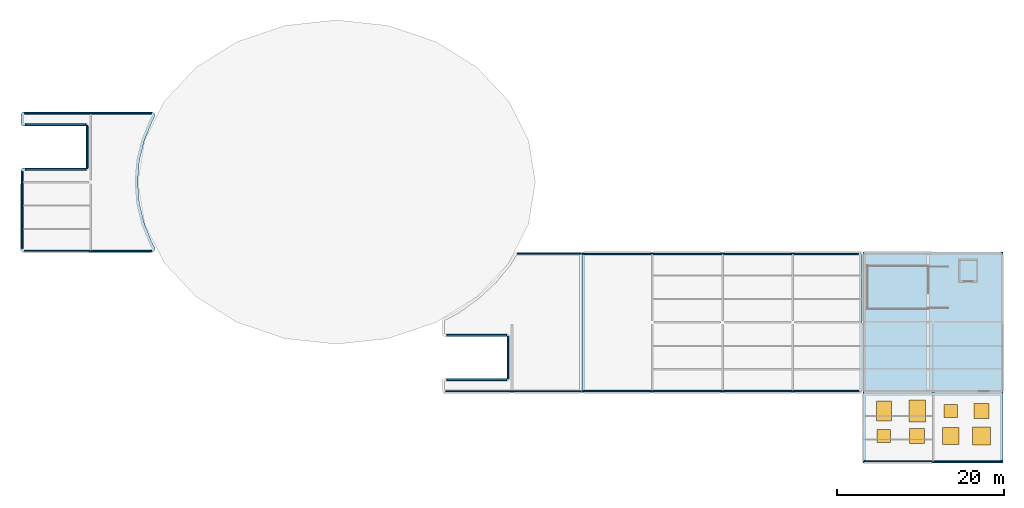
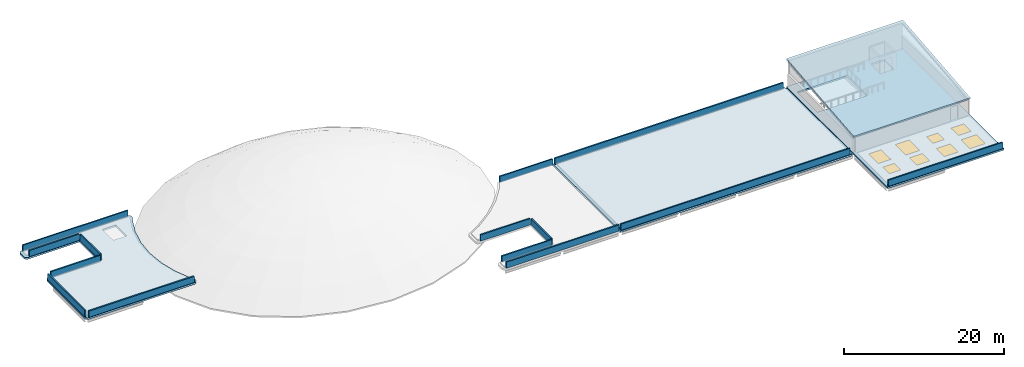
"""IFC4 building model written with IfcOpenShell, lengths in metres."""

from ifc_helpers import new_model, si_unit, derived_unit, direction, frame, frame_2d, origin, origin_2d, place, context, subcontext, project, spatial, polyline, rectangle, outline, extrude, material, layer, layer_set, type_object, element, fill, save


model = new_model("IFC4")

# Units and contexts
model_context = context("Model", 3, precision=1e-05, world=origin(), true_north=direction((0.0, 1.0)))
body_context = subcontext(model_context, "Body", "Model", "MODEL_VIEW")
ifc_project = project(units=[si_unit("LENGTHUNIT", "METRE"), si_unit("AREAUNIT", "SQUARE_METRE"), si_unit("VOLUMEUNIT", "CUBIC_METRE"), si_unit("PLANEANGLEUNIT", "RADIAN"), si_unit("MASSUNIT", "GRAM", prefix="KILO"), derived_unit("THERMALTRANSMITTANCEUNIT", [(si_unit("POWERUNIT", "WATT"), 1), (si_unit("LENGTHUNIT", "METRE"), -2), (si_unit("THERMODYNAMICTEMPERATUREUNIT", "KELVIN"), -1)])], contexts=[model_context])

# Site, building, storey
site_placement = place(None, origin())
site = spatial("IfcSite", under=ifc_project, at=site_placement, CompositionType="ELEMENT")
building_placement = place(site_placement, origin())
building = spatial("IfcBuilding", under=site, at=building_placement, Name="Elbkamm Science Centre", CompositionType="ELEMENT")
storey_1_placement = place(building_placement, frame((0.0, 0.0, 25.5)))
storey_1 = spatial("IfcBuildingStorey", under=building, at=storey_1_placement, Name="RF", CompositionType="ELEMENT", Elevation=25.5)

# Slabs
ifc_material_1 = material(Name="Reinforced concrete C40/50", Category="concrete")
ifc_layer_1 = layer(ifc_material_1, 0.239990234375)
ifc_layer_set_1 = layer_set([ifc_layer_1], Name="Reinforced concrete C40/50")
slab_type_1 = type_object("IfcSlabType", Name="SLAB-ROOF-240", PredefinedType="ROOF", material=ifc_layer_set_1)
slab_1_placement = place(storey_1_placement, frame((126.02490234375, 42.0, 2.6201171875), z_axis=(0.0, -0.097737984439, 0.995212181596), x_axis=(1.0, 0.0, 0.0)))
element("IfcSlab", 1, at=slab_1_placement, inside=storey_1, type_object=slab_type_1, Name="RF Core C3 Stair Headhouse Roof Slab", PredefinedType="ROOF", context=body_context, shape_type="SweptSolid", body=[
    extrude(outline(polyline([(0.0, 0.0), (16.775146484375, 0.0), (16.775146484375, 16.880871374763093), (0.0, 16.880871374763093), (0.0, 0.0)])), origin(), (0.0, 0.0, -1.0), 0.239990234375),
])
ifc_layer_2 = layer(ifc_material_1, 0.260009765625)
ifc_layer_set_2 = layer_set([ifc_layer_2], Name="Reinforced concrete C40/50")
slab_type_2 = type_object("IfcSlabType", Name="SLAB-ROOF-260", PredefinedType="ROOF", material=ifc_layer_set_2)
slab_2_placement = place(storey_1_placement, frame((0.0, 0.0, -0.260009765625)))
element("IfcSlab", 2, at=slab_2_placement, inside=storey_1, type_object=slab_type_2, Name="RF Step-Back Roof Slab 01", PredefinedType="ROOF", context=body_context, shape_type="SweptSolid", body=[
    extrude(outline(polyline([(25.208251953125, 68.5419921875), (25.218505859375, 68.583740234375), (25.232666015625, 68.62451171875), (25.25048828125, 68.66357421875), (25.272216796875, 68.70068359375), (25.29736328125, 68.73583984375), (25.32568359375, 68.768310546875), (25.35693359375, 68.7978515625), (25.390869140625, 68.82421875), (25.42724609375, 68.847412109375), (25.465576171875, 68.86669921875), (25.505615234375, 68.882568359375), (25.547119140625, 68.894287109375), (25.58935546875, 68.902099609375), (25.63232421875, 68.906005859375), (25.67529296875, 68.905517578125), (25.71826171875, 68.901123046875), (25.760498046875, 68.892578125), (25.798583984375, 68.880859375), (25.800048828125, 68.880615234375), (25.800048828125, 68.8798828125), (25.81103515625, 68.8798828125), (32.968994140625, 68.8798828125), (32.97998046875, 68.8798828125), (32.97998046875, 68.89111328125), (32.97998046875, 73.908935546875), (32.97998046875, 73.919921875), (32.968994140625, 73.919921875), (25.81103515625, 73.919921875), (25.800048828125, 73.919921875), (25.800048828125, 73.91943359375), (25.798583984375, 73.919189453125), (25.760498046875, 73.907470703125), (25.71826171875, 73.89892578125), (25.67529296875, 73.894287109375), (25.63232421875, 73.89404296875), (25.58935546875, 73.897705078125), (25.547119140625, 73.905517578125), (25.505615234375, 73.91748046875), (25.465576171875, 73.93310546875), (25.42724609375, 73.95263671875), (25.390869140625, 73.975830078125), (25.35693359375, 74.002197265625), (25.32568359375, 74.03173828125), (25.29736328125, 74.064208984375), (25.272216796875, 74.09912109375), (25.25048828125, 74.136474609375), (25.232666015625, 74.175537109375), (25.218505859375, 74.21630859375), (25.208251953125, 74.258056640625), (25.2021484375, 74.30078125), (25.199951171875, 74.34375), (25.199951171875, 75.14990234375), (25.2021484375, 75.194091796875), (25.20849609375, 75.23779296875), (25.219482421875, 75.280517578125), (25.234375, 75.322265625), (25.253173828125, 75.362060546875), (25.27587890625, 75.39990234375), (25.302001953125, 75.435546875), (25.331787109375, 75.46826171875), (25.364501953125, 75.497802734375), (25.39990234375, 75.524169921875), (25.43798828125, 75.546875), (25.477783203125, 75.565673828125), (25.519287109375, 75.58056640625), (25.562255859375, 75.59130859375), (25.60595703125, 75.597900390625), (25.64990234375, 75.60009765625), (40.803466796875, 75.60009765625), (40.8466796875, 75.597900390625), (40.889404296875, 75.591796875), (40.931396484375, 75.581298828125), (40.97216796875, 75.567138671875), (41.011474609375, 75.549072265625), (41.048828125, 75.527099609375), (41.083984375, 75.501953125), (41.116455078125, 75.473388671875), (41.14599609375, 75.44189453125), (41.17236328125, 75.40771484375), (41.1953125, 75.37109375), (41.21484375, 75.332275390625), (41.23046875, 75.2919921875), (41.2421875, 75.250244140625), (41.249755859375, 75.207763671875), (41.253173828125, 75.164794921875), (41.25244140625, 75.121337890625), (41.247802734375, 75.078369140625), (41.23876953125, 75.0361328125), (41.225830078125, 74.994873046875), (41.208984375, 74.955078125), (41.1884765625, 74.9169921875), (41.15625, 74.86376953125), (41.0166015625, 74.633056640625), (41.014404296875, 74.62939453125), (41.012939453125, 74.626953125), (41.01171875, 74.624267578125), (41.009765625, 74.61962890625), (40.53173828125, 73.471923828125), (40.014404296875, 72.22998046875), (40.0126953125, 72.22607421875), (40.01171875, 72.22314453125), (40.0107421875, 72.22021484375), (40.009521484375, 72.21533203125), (39.405517578125, 69.74072265625), (39.404296875, 69.736572265625), (39.40380859375, 69.7333984375), (39.4033203125, 69.730224609375), (39.403076171875, 69.72509765625), (39.200439453125, 67.207763671875), (39.2001953125, 67.203125), (39.199951171875, 67.199951171875), (39.2001953125, 67.19677734375), (39.200439453125, 67.191650390625), (39.37353515625, 65.041259765625), (39.403076171875, 64.67431640625), (39.4033203125, 64.669921875), (39.40380859375, 64.66650390625), (39.404296875, 64.66357421875), (39.40576171875, 64.658447265625), (40.009765625, 62.18408203125), (40.0107421875, 62.1796875), (40.01171875, 62.1767578125), (40.0126953125, 62.173828125), (40.0146484375, 62.169189453125), (40.209716796875, 61.70068359375), (41.010009765625, 59.77978515625), (41.01171875, 59.77587890625), (41.012939453125, 59.773193359375), (41.014404296875, 59.7705078125), (41.016845703125, 59.766357421875), (41.1884765625, 59.48291015625), (41.208984375, 59.445068359375), (41.225830078125, 59.405029296875), (41.23876953125, 59.364013671875), (41.247802734375, 59.321533203125), (41.25244140625, 59.278564453125), (41.253173828125, 59.2353515625), (41.249755859375, 59.192138671875), (41.2421875, 59.149658203125), (41.23046875, 59.10791015625), (41.21484375, 59.067626953125), (41.1953125, 59.029052734375), (41.17236328125, 58.992431640625), (41.14599609375, 58.958251953125), (41.116455078125, 58.9267578125), (41.083984375, 58.898193359375), (41.048828125, 58.872802734375), (41.011474609375, 58.85107421875), (40.97216796875, 58.8330078125), (40.931396484375, 58.818603515625), (40.889404296875, 58.808349609375), (40.8466796875, 58.802001953125), (40.803466796875, 58.800048828125), (25.64990234375, 58.800048828125), (25.60595703125, 58.80224609375), (25.562255859375, 58.80859375), (25.519287109375, 58.8193359375), (25.477783203125, 58.834228515625), (25.43798828125, 58.85302734375), (25.39990234375, 58.875732421875), (25.364501953125, 58.902099609375), (25.331787109375, 58.931884765625), (25.302001953125, 58.964599609375), (25.27587890625, 59.0), (25.253173828125, 59.037841796875), (25.234375, 59.077880859375), (25.219482421875, 59.119384765625), (25.20849609375, 59.162109375), (25.2021484375, 59.205810546875), (25.199951171875, 59.25), (25.199951171875, 67.199951171875), (25.199951171875, 68.456298828125), (25.2021484375, 68.499267578125), (25.208251953125, 68.5419921875)]), holes=[polyline([(38.550048828125, 71.85009765625), (38.550048828125, 71.861083984375), (38.550048828125, 74.5390625), (38.550048828125, 74.550048828125), (38.5390625, 74.550048828125), (36.660888671875, 74.550048828125), (36.64990234375, 74.550048828125), (36.64990234375, 74.5390625), (36.64990234375, 71.861083984375), (36.64990234375, 71.85009765625), (36.660888671875, 71.85009765625), (38.5390625, 71.85009765625), (38.550048828125, 71.85009765625)])]), origin(), (0.0, 0.0, 1.0), 0.260009765625),
])
slab_3_placement = place(storey_1_placement, frame((0.0, 0.0, -0.260009765625)))
element("IfcSlab", 3, at=slab_3_placement, inside=storey_1, type_object=slab_type_2, Name="RF Step-Back Roof Slab 03", PredefinedType="ROOF", context=body_context, shape_type="SweptSolid", body=[
    extrude(outline(polyline([(125.449951171875, 58.800048828125), (125.494140625, 58.7978515625), (125.537841796875, 58.79150390625), (125.58056640625, 58.780517578125), (125.622314453125, 58.765625), (125.662109375, 58.746826171875), (125.699951171875, 58.72412109375), (125.735595703125, 58.697998046875), (125.768310546875, 58.668212890625), (125.7978515625, 58.635498046875), (125.82421875, 58.60009765625), (125.846923828125, 58.56201171875), (125.86572265625, 58.522216796875), (125.880615234375, 58.480712890625), (125.891357421875, 58.437744140625), (125.897705078125, 58.39404296875), (125.89990234375, 58.35009765625), (125.89990234375, 50.405517578125), (125.89990234375, 50.39990234375), (125.900390625, 50.39013671875), (125.90185546875, 50.380615234375), (125.904296875, 50.37109375), (125.90771484375, 50.36181640625), (125.911865234375, 50.352783203125), (125.912109375, 50.3525390625), (125.91259765625, 50.351318359375), (125.92578125, 50.3232421875), (125.940673828125, 50.28173828125), (125.951416015625, 50.239013671875), (125.957763671875, 50.1953125), (125.9599609375, 50.151123046875), (125.9599609375, 42.449951171875), (125.957763671875, 42.406005859375), (125.951416015625, 42.3623046875), (125.940673828125, 42.3193359375), (125.92578125, 42.27783203125), (125.906982421875, 42.23779296875), (125.88427734375, 42.199951171875), (125.85791015625, 42.16455078125), (125.828125, 42.1318359375), (125.79541015625, 42.10205078125), (125.760009765625, 42.07568359375), (125.72216796875, 42.052978515625), (125.68212890625, 42.0341796875), (125.640625, 42.019287109375), (125.597900390625, 42.008544921875), (125.55419921875, 42.002197265625), (125.510009765625, 42.0), (92.39990234375, 42.0), (92.39990234375, 58.800048828125), (125.449951171875, 58.800048828125)])), origin(), (0.0, 0.0, 1.0), 0.260009765625),
])

# Slab, openings
slab_4_placement = place(storey_1_placement, frame((0.0, 0.0, -0.260009765625)))
slab_4 = element("IfcSlab", 4, at=slab_4_placement, inside=storey_1, type_object=slab_type_2, Name="Observatory Pavilion Flat Roof Slab", PredefinedType="ROOF", context=body_context, shape_type="SweptSolid", body=[
    extrude(outline(polyline([(126.02490234375, 33.60009765625), (126.02490234375, 58.800048828125), (142.800048828125, 58.800048828125), (142.800048828125, 33.60009765625), (126.02490234375, 33.60009765625)]), holes=[polyline([(133.780029296875, 57.1201171875), (126.60009765625, 57.1201171875), (126.60009765625, 52.080078125), (133.780029296875, 52.080078125), (133.780029296875, 57.1201171875)]), polyline([(139.550048828125, 57.800048828125), (137.64990234375, 57.800048828125), (137.64990234375, 55.39990234375), (139.550048828125, 55.39990234375), (139.550048828125, 57.800048828125)])]), origin(), (0.0, 0.0, 1.0), 0.260009765625),
])
opening_1_placement = place(slab_4_placement, frame((128.5, 36.800048828125, -0.011962890625)))
opening_1 = element("IfcOpeningElement", 5, at=opening_1_placement, cuts=slab_4, Name="Opening SK-01", PredefinedType="OPENING", context=body_context, shape_type="SweptSolid", body=[
    extrude(rectangle(XDim=1.60009765625, YDim=1.60009765625, at=origin_2d()), origin(), (0.0, 0.0, 1.0), 0.283935546875),
])
opening_2_placement = place(slab_4_placement, frame((132.5, 36.800048828125, -0.011962890625)))
opening_2 = element("IfcOpeningElement", 6, at=opening_2_placement, cuts=slab_4, Name="Opening SK-02", PredefinedType="OPENING", context=body_context, shape_type="SweptSolid", body=[
    extrude(rectangle(XDim=1.800048828125, YDim=1.800048828125, at=origin_2d()), origin(), (0.0, 0.0, 1.0), 0.283935546875),
])
opening_3_placement = place(slab_4_placement, frame((136.5, 36.800048828125, -0.011962890625)))
opening_3 = element("IfcOpeningElement", 7, at=opening_3_placement, cuts=slab_4, Name="Opening SK-03", PredefinedType="OPENING", context=body_context, shape_type="SweptSolid", body=[
    extrude(rectangle(XDim=2.0, YDim=2.0, at=origin_2d()), origin(), (0.0, 0.0, 1.0), 0.283935546875),
])
opening_4_placement = place(slab_4_placement, frame((140.199951171875, 36.800048828125, -0.011962890625)))
opening_4 = element("IfcOpeningElement", 8, at=opening_4_placement, cuts=slab_4, Name="Opening SK-04", PredefinedType="OPENING", context=body_context, shape_type="SweptSolid", body=[
    extrude(rectangle(XDim=2.199951171875, YDim=2.199951171875, at=origin_2d()), origin(), (0.0, 0.0, 1.0), 0.283935546875),
])
opening_5_placement = place(slab_4_placement, frame((128.5, 39.800048828125, -0.011962890625)))
opening_5 = element("IfcOpeningElement", 9, at=opening_5_placement, cuts=slab_4, Name="Opening SK-05", PredefinedType="OPENING", context=body_context, shape_type="SweptSolid", body=[
    extrude(rectangle(XDim=1.800048828125, YDim=2.39990234375, at=origin_2d()), origin(), (0.0, 0.0, 1.0), 0.283935546875),
])
opening_6_placement = place(slab_4_placement, frame((132.5, 39.800048828125, -0.011962890625)))
opening_6 = element("IfcOpeningElement", 10, at=opening_6_placement, cuts=slab_4, Name="Opening SK-06", PredefinedType="OPENING", context=body_context, shape_type="SweptSolid", body=[
    extrude(rectangle(XDim=2.0, YDim=2.60009765625, at=origin_2d()), origin(), (0.0, 0.0, 1.0), 0.283935546875),
])
opening_7_placement = place(slab_4_placement, frame((136.5, 39.800048828125, -0.011962890625)))
opening_7 = element("IfcOpeningElement", 11, at=opening_7_placement, cuts=slab_4, Name="Opening SK-01", PredefinedType="OPENING", context=body_context, shape_type="SweptSolid", body=[
    extrude(rectangle(XDim=1.60009765625, YDim=1.60009765625, at=origin_2d()), origin(), (0.0, 0.0, 1.0), 0.283935546875),
])
opening_8_placement = place(slab_4_placement, frame((140.199951171875, 39.800048828125, -0.011962890625)))
opening_8 = element("IfcOpeningElement", 12, at=opening_8_placement, cuts=slab_4, Name="Opening SK-02", PredefinedType="OPENING", context=body_context, shape_type="SweptSolid", body=[
    extrude(rectangle(XDim=1.800048828125, YDim=1.800048828125, at=origin_2d()), origin(), (0.0, 0.0, 1.0), 0.283935546875),
])

# Storey
storey_2_placement = place(building_placement, frame((0.0, 0.0, 21.60009765625)))
storey_2 = spatial("IfcBuildingStorey", under=building, at=storey_2_placement, Name="L05", CompositionType="ELEMENT", Elevation=21.60009765625)

# Window
ifc_material_2 = material(Name="Thermally broken aluminium and triple solar glass", Category="aluminium")
ifc_layer_3 = layer(ifc_material_2, 0.06005859375)
ifc_layer_set_3 = layer_set([ifc_layer_3], Name="Thermally broken aluminium and triple solar glass")
window_type_1 = type_object("IfcWindowType", Name="SKY-1600x1600", PartitioningType="SINGLE_PANEL", PredefinedType="SKYLIGHT", material=ifc_layer_set_3)
window_1_placement = place(opening_1_placement, frame((0.0, 0.0, 0.221923828125)))
window_1 = element("IfcWindow", 13, at=window_1_placement, inside=storey_2, type_object=window_type_1, Name="Observatory Roof Skylight 01", OverallHeight=1.60009765625, OverallWidth=1.60009765625, PartitioningType="SINGLE_PANEL", PredefinedType="SKYLIGHT", context=body_context, shape_type="SweptSolid", body=[
    extrude(rectangle(XDim=1.60009765625, YDim=1.60009765625, at=origin_2d()), origin(), (0.0, 0.0, 1.0), 0.050048828125),
])

fill(opening_1, window_1)

window_2_placement = place(opening_7_placement, frame((0.0, 0.0, 0.221923828125)))
window_2 = element("IfcWindow", 14, at=window_2_placement, inside=storey_2, type_object=window_type_1, Name="Observatory Roof Skylight 07", OverallHeight=1.60009765625, OverallWidth=1.60009765625, PartitioningType="SINGLE_PANEL", PredefinedType="SKYLIGHT", context=body_context, shape_type="SweptSolid", body=[
    extrude(rectangle(XDim=1.60009765625, YDim=1.60009765625, at=origin_2d()), origin(), (0.0, 0.0, 1.0), 0.050048828125),
])

fill(opening_7, window_2)

ifc_layer_4 = layer(ifc_material_2, 0.06005859375)
ifc_layer_set_4 = layer_set([ifc_layer_4], Name="Thermally broken aluminium and triple solar glass")
window_type_2 = type_object("IfcWindowType", Name="SKY-1800x1800", PartitioningType="DOUBLE_PANEL_VERTICAL", PredefinedType="SKYLIGHT", material=ifc_layer_set_4)
window_3_placement = place(opening_2_placement, frame((0.0, 0.0, 0.221923828125)))
window_3 = element("IfcWindow", 15, at=window_3_placement, inside=storey_2, type_object=window_type_2, Name="Observatory Roof Skylight 02", OverallHeight=1.800048828125, OverallWidth=1.800048828125, PartitioningType="SINGLE_PANEL", PredefinedType="SKYLIGHT", context=body_context, shape_type="SweptSolid", body=[
    extrude(rectangle(XDim=1.800048828125, YDim=1.800048828125, at=origin_2d()), origin(), (0.0, 0.0, 1.0), 0.050048828125),
])

fill(opening_2, window_3)

window_4_placement = place(opening_8_placement, frame((0.0, 0.0, 0.221923828125)))
window_4 = element("IfcWindow", 16, at=window_4_placement, inside=storey_2, type_object=window_type_2, Name="Observatory Roof Skylight 08", OverallHeight=1.800048828125, OverallWidth=1.800048828125, PartitioningType="SINGLE_PANEL", PredefinedType="SKYLIGHT", context=body_context, shape_type="SweptSolid", body=[
    extrude(rectangle(XDim=1.800048828125, YDim=1.800048828125, at=origin_2d()), origin(), (0.0, 0.0, 1.0), 0.050048828125),
])

fill(opening_8, window_4)

ifc_layer_5 = layer(ifc_material_2, 0.06005859375)
ifc_layer_set_5 = layer_set([ifc_layer_5], Name="Thermally broken aluminium and triple solar glass")
window_type_3 = type_object("IfcWindowType", Name="SKY-1800x2400", PartitioningType="DOUBLE_PANEL_VERTICAL", PredefinedType="SKYLIGHT", material=ifc_layer_set_5)
window_5_placement = place(opening_5_placement, frame((0.0, 0.0, 0.221923828125)))
window_5 = element("IfcWindow", 17, at=window_5_placement, inside=storey_2, type_object=window_type_3, Name="Observatory Roof Skylight 05", OverallHeight=2.39990234375, OverallWidth=1.800048828125, PartitioningType="SINGLE_PANEL", PredefinedType="SKYLIGHT", context=body_context, shape_type="SweptSolid", body=[
    extrude(rectangle(XDim=1.800048828125, YDim=2.39990234375, at=origin_2d()), origin(), (0.0, 0.0, 1.0), 0.050048828125),
])

fill(opening_5, window_5)

ifc_layer_6 = layer(ifc_material_2, 0.06005859375)
ifc_layer_set_6 = layer_set([ifc_layer_6], Name="Thermally broken aluminium and triple solar glass")
window_type_4 = type_object("IfcWindowType", Name="SKY-2000x2000", PartitioningType="DOUBLE_PANEL_VERTICAL", PredefinedType="SKYLIGHT", material=ifc_layer_set_6)
window_6_placement = place(opening_3_placement, frame((0.0, 0.0, 0.221923828125)))
window_6 = element("IfcWindow", 18, at=window_6_placement, inside=storey_2, type_object=window_type_4, Name="Observatory Roof Skylight 03", OverallHeight=2.0, OverallWidth=2.0, PartitioningType="SINGLE_PANEL", PredefinedType="SKYLIGHT", context=body_context, shape_type="SweptSolid", body=[
    extrude(rectangle(XDim=2.0, YDim=2.0, at=origin_2d()), origin(), (0.0, 0.0, 1.0), 0.050048828125),
])

fill(opening_3, window_6)

ifc_layer_7 = layer(ifc_material_2, 0.06005859375)
ifc_layer_set_7 = layer_set([ifc_layer_7], Name="Thermally broken aluminium and triple solar glass")
window_type_5 = type_object("IfcWindowType", Name="SKY-2000x2600", PartitioningType="DOUBLE_PANEL_VERTICAL", PredefinedType="SKYLIGHT", material=ifc_layer_set_7)
window_7_placement = place(opening_6_placement, frame((0.0, 0.0, 0.221923828125)))
window_7 = element("IfcWindow", 19, at=window_7_placement, inside=storey_2, type_object=window_type_5, Name="Observatory Roof Skylight 06", OverallHeight=2.60009765625, OverallWidth=2.0, PartitioningType="SINGLE_PANEL", PredefinedType="SKYLIGHT", context=body_context, shape_type="SweptSolid", body=[
    extrude(rectangle(XDim=2.0, YDim=2.60009765625, at=origin_2d()), origin(), (0.0, 0.0, 1.0), 0.050048828125),
])

fill(opening_6, window_7)

ifc_layer_8 = layer(ifc_material_2, 0.06005859375)
ifc_layer_set_8 = layer_set([ifc_layer_8], Name="Thermally broken aluminium and triple solar glass")
window_type_6 = type_object("IfcWindowType", Name="SKY-2200x2200", PartitioningType="DOUBLE_PANEL_VERTICAL", PredefinedType="SKYLIGHT", material=ifc_layer_set_8)
window_8_placement = place(opening_4_placement, frame((0.0, 0.0, 0.221923828125)))
window_8 = element("IfcWindow", 20, at=window_8_placement, inside=storey_2, type_object=window_type_6, Name="Observatory Roof Skylight 04", OverallHeight=2.199951171875, OverallWidth=2.199951171875, PartitioningType="SINGLE_PANEL", PredefinedType="SKYLIGHT", context=body_context, shape_type="SweptSolid", body=[
    extrude(rectangle(XDim=2.199951171875, YDim=2.199951171875, at=origin_2d()), origin(), (0.0, 0.0, 1.0), 0.050048828125),
])

fill(opening_4, window_8)

# Walls
ifc_material_3 = material(Name="White precast concrete C40/50", Category="concrete")
ifc_layer_9 = layer(ifc_material_3, 0.18994140625)
ifc_layer_set_9 = layer_set([ifc_layer_9], Name="White precast concrete C40/50")
wall_type_1 = type_object("IfcWallType", Name="WL-PAR-190", PredefinedType="PARAPET", material=ifc_layer_set_9)
wall_1_placement = place(storey_1_placement, frame((33.1201171875, 68.8798828125, 0.0), z_axis=(0.0, 0.0, 1.0), x_axis=(0.0, 1.0, 0.0)))
element("IfcWall", 21, at=wall_1_placement, inside=storey_1, type_object=wall_type_1, Name="RF Roof Parapet Wall 069", PredefinedType="PARAPET", context=body_context, shape_type="SweptSolid", body=[
    extrude(rectangle(XDim=5.0400390625, YDim=0.18994140625, at=frame_2d((2.52001953125, 0.0))), origin(), (0.0, 0.0, 1.0), 0.949951171875),
])
wall_2_placement = place(storey_1_placement, frame((25.653564453125, 75.4599609375, 0.0), z_axis=(0.0, 0.0, 1.0), x_axis=(1.0, 0.0, 0.0)))
element("IfcWall", 22, at=wall_2_placement, inside=storey_1, type_object=wall_type_1, Name="RF Roof Parapet Wall 071", PredefinedType="PARAPET", context=body_context, shape_type="SweptSolid", body=[
    extrude(rectangle(XDim=15.146484375, YDim=0.18994140625, at=frame_2d((7.5732421875, 0.0))), origin(), (0.0, 0.0, 1.0), 0.949951171875),
])
wall_3_placement = place(storey_1_placement, frame((25.340087890625, 59.25341796875, 0.0), z_axis=(0.0, 0.0, 1.0), x_axis=(0.0, 1.0, 0.0)))
element("IfcWall", 23, at=wall_3_placement, inside=storey_1, type_object=wall_type_1, Name="RF Roof Parapet Wall 073", PredefinedType="PARAPET", context=body_context, shape_type="SweptSolid", body=[
    extrude(rectangle(XDim=9.199462890625, YDim=0.18994140625, at=frame_2d((4.599609375, 0.0))), origin(), (0.0, 0.0, 1.0), 0.949951171875),
])
wall_4_placement = place(storey_1_placement, frame((83.52001953125, 43.679931640625, 0.0), z_axis=(0.0, 0.0, 1.0), x_axis=(0.0, 1.0, 0.0)))
element("IfcWall", 24, at=wall_4_placement, inside=storey_1, type_object=wall_type_1, Name="RF Roof Parapet Wall 075", PredefinedType="PARAPET", context=body_context, shape_type="SweptSolid", body=[
    extrude(rectangle(XDim=5.0400390625, YDim=0.18994140625, at=frame_2d((2.52001953125, 0.0))), origin(), (0.0, 0.0, 1.0), 0.949951171875),
])
wall_5_placement = place(storey_1_placement, frame((84.655517578125, 58.659912109375, 0.0), z_axis=(0.0, 0.0, 1.0), x_axis=(1.0, 0.0, 0.0)))
element("IfcWall", 25, at=wall_5_placement, inside=storey_1, type_object=wall_type_1, Name="RF Roof Parapet Wall 077", PredefinedType="PARAPET", context=body_context, shape_type="SweptSolid", body=[
    extrude(rectangle(XDim=7.6044921875, YDim=0.18994140625, at=frame_2d((3.80224609375, 0.0))), origin(), (0.0, 0.0, 1.0), 0.949951171875),
])
wall_6_placement = place(storey_1_placement, frame((125.506591796875, 42.139892578125, 0.0), z_axis=(0.0, 0.0, 1.0), x_axis=(-1.0, 0.0, 0.0)))
element("IfcWall", 26, at=wall_6_placement, inside=storey_1, type_object=wall_type_1, Name="RF Roof Parapet Wall 079", PredefinedType="PARAPET", context=body_context, shape_type="SweptSolid", body=[
    extrude(rectangle(XDim=32.966552734375, YDim=0.18994140625, at=frame_2d((16.4833984375, 0.0))), origin(), (0.0, 0.0, 1.0), 0.949951171875),
])
wall_7_placement = place(storey_1_placement, frame((142.659912109375, 33.739990234375, 0.0), z_axis=(0.0, 0.0, 1.0), x_axis=(-1.0, 0.0, 0.0)))
element("IfcWall", 27, at=wall_7_placement, inside=storey_1, type_object=wall_type_1, Name="RF Roof Parapet Wall 081", PredefinedType="PARAPET", context=body_context, shape_type="SweptSolid", body=[
    extrude(rectangle(XDim=16.494873046875, YDim=0.18994140625, at=frame_2d((8.24755859375, 0.0))), origin(), (0.0, 0.0, 1.0), 0.949951171875),
])
ifc_layer_10 = layer(ifc_material_3, 0.2099609375)
ifc_layer_set_10 = layer_set([ifc_layer_10], Name="White precast concrete C40/50")
wall_type_2 = type_object("IfcWallType", Name="WL-PAR-210", PredefinedType="PARAPET", material=ifc_layer_set_10)
for number, where, z_axis, x_axis, name in (
    (28, (25.800048828125, 68.739990234375, 0.0), (0.0, 0.0, 1.0), (1.0, 0.0, 0.0), "RF Roof Parapet Wall 068"),
    (29, (32.97998046875, 74.06005859375, 0.0), (0.0, 0.0, 1.0), (-1.0, 0.0, 0.0), "RF Roof Parapet Wall 070"),
):
    element("IfcWall", number, at=place(storey_1_placement, frame(where, z_axis=z_axis, x_axis=x_axis)), inside=storey_1, type_object=wall_type_2, Name=name, PredefinedType="PARAPET", context=body_context, shape_type="SweptSolid", body=[
        extrude(rectangle(XDim=7.179931640625, YDim=0.2099609375, at=frame_2d((3.58984375, 0.0))), origin(), (0.0, 0.0, 1.0), 0.949951171875),
    ])
wall_8_placement = place(storey_1_placement, frame((40.800048828125, 58.93994140625, 0.0), z_axis=(0.0, 0.0, 1.0), x_axis=(-1.0, 0.0, 0.0)))
element("IfcWall", 30, at=wall_8_placement, inside=storey_1, type_object=wall_type_2, Name="RF Roof Parapet Wall 072", PredefinedType="PARAPET", context=body_context, shape_type="SweptSolid", body=[
    extrude(rectangle(XDim=15.146484375, YDim=0.2099609375, at=frame_2d((7.5732421875, 0.0))), origin(), (0.0, 0.0, 1.0), 0.949951171875),
])
for number, where, z_axis, x_axis, name in (
    (31, (76.199951171875, 43.5400390625, 0.0), (0.0, 0.0, 1.0), (1.0, 0.0, 0.0), "RF Roof Parapet Wall 074"),
    (32, (83.3798828125, 48.860107421875, 0.0), (0.0, 0.0, 1.0), (-1.0, 0.0, 0.0), "RF Roof Parapet Wall 076"),
):
    element("IfcWall", number, at=place(storey_1_placement, frame(where, z_axis=z_axis, x_axis=x_axis)), inside=storey_1, type_object=wall_type_2, Name=name, PredefinedType="PARAPET", context=body_context, shape_type="SweptSolid", body=[
        extrude(rectangle(XDim=7.179931640625, YDim=0.2099609375, at=frame_2d((3.58984375, 0.0))), origin(), (0.0, 0.0, 1.0), 0.949951171875),
    ])
wall_9_placement = place(storey_1_placement, frame((92.260009765625, 42.139892578125, 0.0), z_axis=(0.0, 0.0, 1.0), x_axis=(-1.0, 0.0, 0.0)))
element("IfcWall", 33, at=wall_9_placement, inside=storey_1, type_object=wall_type_2, Name="RF Roof Parapet Wall 078", PredefinedType="PARAPET", context=body_context, shape_type="SweptSolid", body=[
    extrude(rectangle(XDim=16.20654296875, YDim=0.2099609375, at=frame_2d((8.103271484375, 0.0))), origin(), (0.0, 0.0, 1.0), 0.949951171875),
])
wall_10_placement = place(storey_1_placement, frame((92.5400390625, 58.659912109375, 0.0), z_axis=(0.0, 0.0, 1.0), x_axis=(1.0, 0.0, 0.0)))
element("IfcWall", 34, at=wall_10_placement, inside=storey_1, type_object=wall_type_2, Name="RF Roof Parapet Wall 080", PredefinedType="PARAPET", context=body_context, shape_type="SweptSolid", body=[
    extrude(rectangle(XDim=32.906494140625, YDim=0.2099609375, at=frame_2d((16.453125, 0.0))), origin(), (0.0, 0.0, 1.0), 0.949951171875),
])

save(model, "model.ifc")
